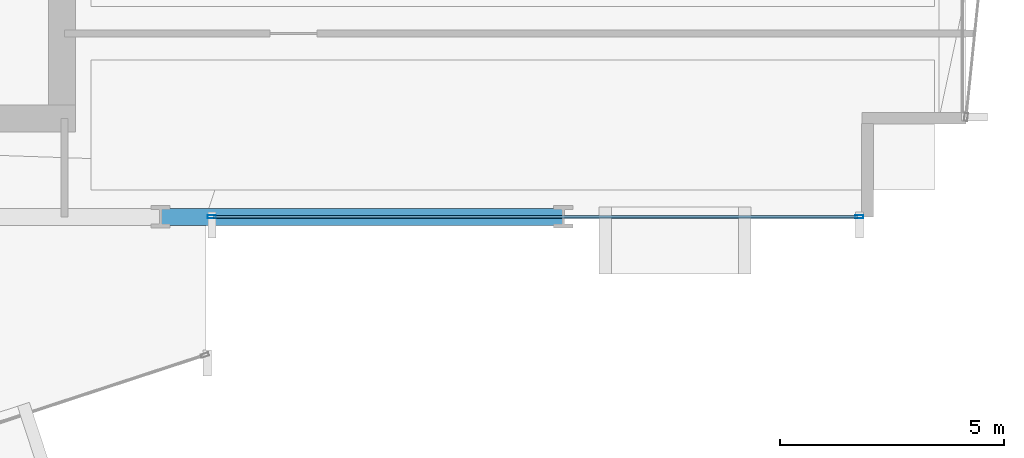
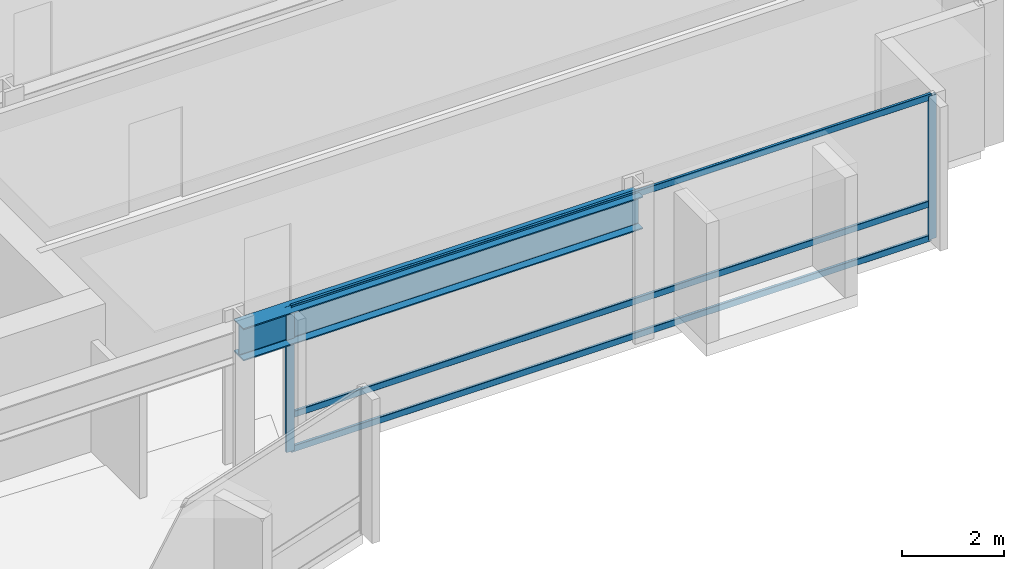
# One storey, part 12 of 34: 5 members, 1 beam, 1 element without a shape of its own.
"""IFC4 building model written with IfcOpenShell, lengths in metres."""

from ifc_helpers import new_model, si_unit, direction, frame, origin, origin_2d, place, context, subcontext, project, spatial, hollow_rectangle, i_section, extrude, material, layer, layer_set, material_profile, profile_set, type_object, element, aggregate, save


model = new_model("IFC4")

# Units and contexts
model_context = context("Model", 3, precision=1e-05, world=origin(), true_north=direction((0.0, 1.0)))
body_context = subcontext(model_context, "Body", "Model", "MODEL_VIEW")
ifc_project = project(units=[si_unit("LENGTHUNIT", "METRE"), si_unit("AREAUNIT", "SQUARE_METRE"), si_unit("VOLUMEUNIT", "CUBIC_METRE"), si_unit("PLANEANGLEUNIT", "RADIAN"), si_unit("MASSUNIT", "GRAM", prefix="KILO")], contexts=[model_context])

# Site, building, storey
site_placement = place(None, origin())
site = spatial("IfcSite", under=ifc_project, at=site_placement, CompositionType="ELEMENT")
building_placement = place(site_placement, origin())
building = spatial("IfcBuilding", under=site, at=building_placement, Name="Solvaryn Broadcast Tower", CompositionType="ELEMENT")
storey_placement = place(building_placement, frame((0.0, 0.0, 47.10009765625)))
storey = spatial("IfcBuildingStorey", under=building, at=storey_placement, Name="L10", CompositionType="ELEMENT", Elevation=47.10009765625)

# Beam
ifc_material_1 = material(Name="Steel ASTM A992 Grade 50", Category="steel")
ifc_material_profile_1 = material_profile(ifc_material_1, i_section(OverallWidth=0.381103515625, OverallDepth=0.77294921875, WebThickness=0.0166015625, FlangeThickness=0.027099609375, FilletRadius=0.01806640625, at=origin_2d()))
ifc_profile_set_1 = profile_set([ifc_material_profile_1], Name="Steel ASTM A992 Grade 50")
beam_type = type_object("IfcBeamType", Name="BM-SP1-W30X173", PredefinedType="USERDEFINED", material=ifc_profile_set_1)
beam_placement = place(storey_placement, frame((45.0, 9.0, 3.033447265625), z_axis=(1.0, 0.0, 0.0), x_axis=(0.0, 1.0, 0.0)))
element("IfcBeam", 1, at=beam_placement, inside=storey, type_object=beam_type, Name="L10 Spandrel Beam X (45-54 @ Y=9)", ObjectType="SPANDREL", PredefinedType="USERDEFINED", context=body_context, shape_type="SweptSolid", body=[
    extrude(i_section(OverallWidth=0.381103515625, OverallDepth=0.77294921875, WebThickness=0.0166015625, FlangeThickness=0.027099609375, FilletRadius=0.01806640625, at=origin_2d()), origin(), (0.0, 0.0, 1.0), 9.0),
])

# Curtain wall, members
ifc_material_2 = material(Name="Aluminium and Terracotta Unitised Curtain Wall", Category="masonry")
ifc_layer = layer(ifc_material_2, 0.199951171875)
ifc_layer_set = layer_set([ifc_layer], Name="CW-SYS2-LOWMID")
curtain_wall_type = type_object("IfcCurtainWallType", Name="CW-SYS2-LOWMID", PredefinedType="NOTDEFINED", material=ifc_layer_set)
curtain_wall_placement = place(storey_placement, origin())
curtain_wall = element("IfcCurtainWall", 2, at=curtain_wall_placement, inside=storey, type_object=curtain_wall_type, Name="L10 Curtain Wall S2", PredefinedType="NOTDEFINED")
ifc_material_3 = material(Name="Anodised Aluminium 6063-T6", Category="aluminium")
ifc_material_profile_2 = material_profile(ifc_material_3, hollow_rectangle(XDim=0.074951171875, YDim=0.179931640625, WallThickness=0.00390625, InnerFilletRadius=0.00390625, OuterFilletRadius=0.008056640625, at=origin_2d()))
ifc_profile_set_2 = profile_set([ifc_material_profile_2], Name="Anodised Aluminium 6063-T6")
member_type_1 = type_object("IfcMemberType", Name="CW-MUL-180", PredefinedType="MULLION", material=ifc_profile_set_2)
member_1_placement = place(storey_placement, frame((46.14599609375, 9.0, 0.0), z_axis=(0.0, 0.0, 1.0), x_axis=(0.0, 1.0, 0.0)))
member_1 = element("IfcMember", 3, at=member_1_placement, type_object=member_type_1, Name="CWS2 mullion 1", PredefinedType="MULLION", context=body_context, shape_type="SweptSolid", body=[
    extrude(hollow_rectangle(XDim=0.074951171875, YDim=0.179931640625, WallThickness=0.00390625, InnerFilletRadius=0.00390625, OuterFilletRadius=0.008056640625, at=origin_2d()), origin(), (0.0, 0.0, 1.0), 3.419921875),
])
member_2_placement = place(storey_placement, frame((60.6201171875, 9.0, 0.0), z_axis=(0.0, 0.0, 1.0), x_axis=(0.0, 1.0, 0.0)))
member_2 = element("IfcMember", 4, at=member_2_placement, type_object=member_type_1, Name="CWS2 mullion 2", PredefinedType="MULLION", context=body_context, shape_type="SweptSolid", body=[
    extrude(hollow_rectangle(XDim=0.074951171875, YDim=0.179931640625, WallThickness=0.00390625, InnerFilletRadius=0.00390625, OuterFilletRadius=0.008056640625, at=origin_2d()), origin(), (0.0, 0.0, 1.0), 3.419921875),
])
ifc_material_4 = material(Name="Anodised Aluminium 6063-T6", Category="aluminium")
ifc_material_profile_3 = material_profile(ifc_material_4, hollow_rectangle(XDim=0.06494140625, YDim=0.14990234375, WallThickness=0.00390625, InnerFilletRadius=0.00390625, OuterFilletRadius=0.008056640625, at=origin_2d()))
ifc_profile_set_3 = profile_set([ifc_material_profile_3], Name="Anodised Aluminium 6063-T6")
member_type_2 = type_object("IfcMemberType", Name="CW-TRN-150", PredefinedType="USERDEFINED", material=ifc_profile_set_3)
member_3_placement = place(storey_placement, frame((46.176025390625, 9.0, 0.02978515625), z_axis=(1.0, 0.0, 0.0), x_axis=(0.0, 1.0, 0.0)))
member_3 = element("IfcMember", 5, at=member_3_placement, type_object=member_type_2, Name="CWS2 transom 1.1", ObjectType="TRANSOM", PredefinedType="USERDEFINED", context=body_context, shape_type="SweptSolid", body=[
    extrude(hollow_rectangle(XDim=0.06494140625, YDim=0.14990234375, WallThickness=0.00390625, InnerFilletRadius=0.00390625, OuterFilletRadius=0.008056640625, at=origin_2d()), origin(), (0.0, 0.0, 1.0), 14.4140625),
])
member_4_placement = place(storey_placement, frame((46.176025390625, 9.0, 0.849853515625), z_axis=(1.0, 0.0, 0.0), x_axis=(0.0, 1.0, 0.0)))
member_4 = element("IfcMember", 6, at=member_4_placement, type_object=member_type_2, Name="CWS2 transom 1.2", ObjectType="TRANSOM", PredefinedType="USERDEFINED", context=body_context, shape_type="SweptSolid", body=[
    extrude(hollow_rectangle(XDim=0.06494140625, YDim=0.14990234375, WallThickness=0.00390625, InnerFilletRadius=0.00390625, OuterFilletRadius=0.008056640625, at=origin_2d()), origin(), (0.0, 0.0, 1.0), 14.4140625),
])
member_5_placement = place(storey_placement, frame((46.176025390625, 9.0, 3.389892578125), z_axis=(1.0, 0.0, 0.0), x_axis=(0.0, 1.0, 0.0)))
member_5 = element("IfcMember", 7, at=member_5_placement, type_object=member_type_2, Name="CWS2 transom 1.3", ObjectType="TRANSOM", PredefinedType="USERDEFINED", context=body_context, shape_type="SweptSolid", body=[
    extrude(hollow_rectangle(XDim=0.06494140625, YDim=0.14990234375, WallThickness=0.00390625, InnerFilletRadius=0.00390625, OuterFilletRadius=0.008056640625, at=origin_2d()), origin(), (0.0, 0.0, 1.0), 14.4140625),
])
aggregate(curtain_wall, [member_1, member_2, member_3, member_4, member_5])

save(model, "model.ifc")
